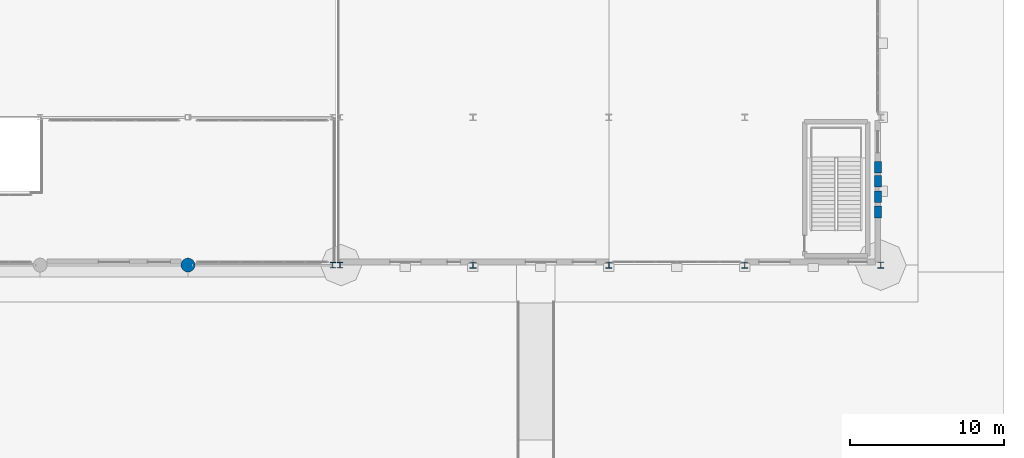
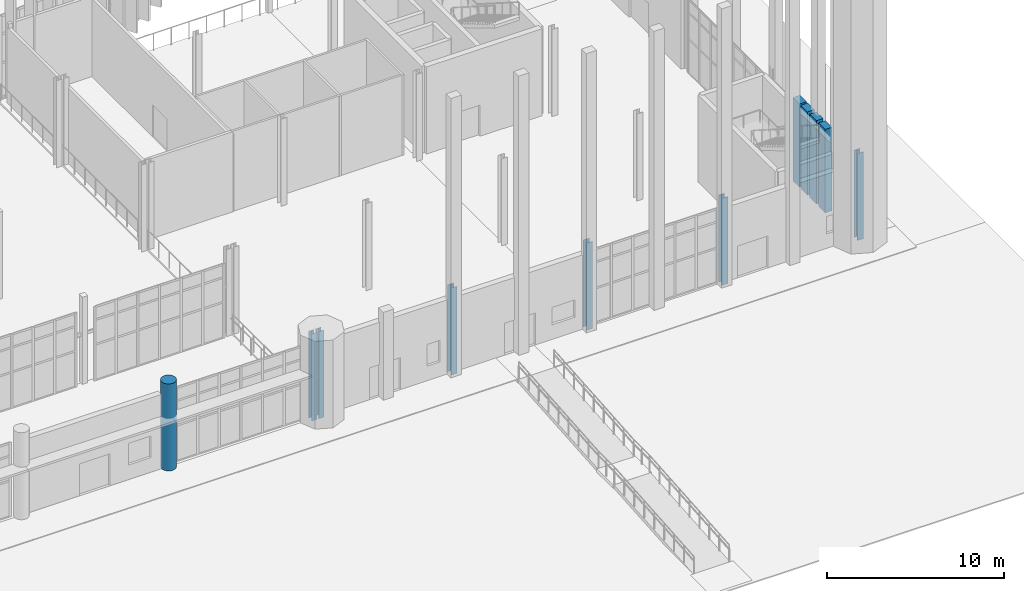
# One storey, part 16 of 139: 11 columns.
"""IFC4 building model written with IfcOpenShell, lengths in metres."""

from ifc_helpers import new_model, si_unit, direction, frame, origin, origin_2d, place, context, subcontext, project, spatial, rectangle, circle, i_section, extrude, material, material_profile, profile_set, type_object, element, save


model = new_model("IFC4")

# Units and contexts
model_context = context("Model", 3, precision=1e-05, world=origin(), true_north=direction((0.0, 1.0)))
body_context = subcontext(model_context, "Body", "Model", "MODEL_VIEW")
ifc_project = project(units=[si_unit("LENGTHUNIT", "METRE"), si_unit("AREAUNIT", "SQUARE_METRE"), si_unit("VOLUMEUNIT", "CUBIC_METRE"), si_unit("PLANEANGLEUNIT", "RADIAN"), si_unit("MASSUNIT", "GRAM", prefix="KILO")], contexts=[model_context])

# Site, building, storey
site_placement = place(None, origin())
site = spatial("IfcSite", under=ifc_project, at=site_placement, CompositionType="ELEMENT")
building_placement = place(site_placement, origin())
building = spatial("IfcBuilding", under=site, at=building_placement, Name="Yeouljin Market Hall", CompositionType="ELEMENT")
storey_placement = place(building_placement, origin())
storey = spatial("IfcBuildingStorey", under=building, at=storey_placement, Name="L00", CompositionType="ELEMENT", Elevation=0.0)

# Columns
ifc_material_1 = material(Name="Steel SM355", Category="steel")
ifc_material_profile_1 = material_profile(ifc_material_1, i_section(OverallWidth=0.35009765625, OverallDepth=0.35009765625, WebThickness=0.011962890625, FlangeThickness=0.01904296875, FilletRadius=0.02001953125, at=origin_2d()), Name="H-350x350x12x19")
ifc_profile_set_1 = profile_set([ifc_material_profile_1], Name="Steel SM355")
column_type_1 = type_object("IfcColumnType", Name="Col_H-350x350x12x19", PredefinedType="COLUMN", material=ifc_profile_set_1)
for number, where, z_axis, x_axis, name in (
    (1, (140.81005859375, 0.0, 0.0), (0.0, 0.0, 1.0), (1.0, 0.0, 0.0), "Column G-16-00 (L00)"),
    (2, (141.27001953125, 0.0, 0.0), (0.0, 0.0, 1.0), (1.0, 0.0, 0.0), "Column G-17-00 (L00)"),
):
    element("IfcColumn", number, at=place(storey_placement, frame(where, z_axis=z_axis, x_axis=x_axis)), inside=storey, type_object=column_type_1, Name=name, PredefinedType="COLUMN", context=body_context, shape_type="SweptSolid", body=[
        extrude(i_section(OverallWidth=0.35009765625, OverallDepth=0.35009765625, WebThickness=0.011962890625, FlangeThickness=0.01904296875, FilletRadius=0.02001953125, at=origin_2d()), origin(), (0.0, 0.0, 1.0), 6.0),
    ])
ifc_material_2 = material(Name="Steel SM355", Category="steel")
ifc_material_profile_2 = material_profile(ifc_material_2, i_section(OverallWidth=0.39990234375, OverallDepth=0.39990234375, WebThickness=0.012939453125, FlangeThickness=0.02099609375, FilletRadius=0.02197265625, at=origin_2d()), Name="H-400x400x13x21")
ifc_profile_set_2 = profile_set([ifc_material_profile_2], Name="Steel SM355")
column_type_2 = type_object("IfcColumnType", Name="Col_H-400x400x13x21", PredefinedType="COLUMN", material=ifc_profile_set_2)
for number, where, z_axis, x_axis, name in (
    (3, (149.909912109375, 0.0, 0.0), (0.0, 0.0, 1.0), (1.0, 0.0, 0.0), "Column G-18-00 (L00)"),
    (4, (158.739990234375, 0.0, 0.0), (0.0, 0.0, 1.0), (1.0, 0.0, 0.0), "Column G-19-00 (L00)"),
    (5, (167.570068359375, 0.0, 0.0), (0.0, 0.0, 1.0), (1.0, 0.0, 0.0), "Column G-20-00 (L00)"),
    (6, (176.39990234375, 0.0, 0.0), (0.0, 0.0, 1.0), (1.0, 0.0, 0.0), "Column G-21-00 (L00)"),
):
    element("IfcColumn", number, at=place(storey_placement, frame(where, z_axis=z_axis, x_axis=x_axis)), inside=storey, type_object=column_type_2, Name=name, PredefinedType="COLUMN", context=body_context, shape_type="SweptSolid", body=[
        extrude(i_section(OverallWidth=0.39990234375, OverallDepth=0.39990234375, WebThickness=0.012939453125, FlangeThickness=0.02099609375, FilletRadius=0.02197265625, at=origin_2d()), origin(), (0.0, 0.0, 1.0), 6.0),
    ])
ifc_material_3 = material(Name="Concrete C35/45", Category="concrete")
ifc_material_profile_3 = material_profile(ifc_material_3, circle(Radius=0.449951171875, at=origin_2d()), Name="RC-D900")
ifc_profile_set_3 = profile_set([ifc_material_profile_3], Name="Concrete C35/45")
column_type_3 = type_object("IfcColumnType", Name="Col_RC-D900", PredefinedType="COLUMN", material=ifc_profile_set_3)
column_placement = place(storey_placement, frame((131.39990234375, 0.0, 0.0), z_axis=(0.0, 0.0, 1.0), x_axis=(1.0, 0.0, 0.0)))
element("IfcColumn", 7, at=column_placement, inside=storey, type_object=column_type_3, Name="Column G-15-00 (L00)", PredefinedType="COLUMN", context=body_context, shape_type="SweptSolid", body=[
    extrude(circle(Radius=0.449951171875, at=origin_2d()), origin(), (0.0, 0.0, 1.0), 6.0),
])
ifc_material_4 = material(Name="Pocheon Granite Stone", Category="masonry")
ifc_material_profile_4 = material_profile(ifc_material_4, rectangle(XDim=0.449951171875, YDim=0.75, at=origin_2d()), Name="PIL-450x750")
ifc_profile_set_4 = profile_set([ifc_material_profile_4], Name="Pocheon Granite Stone")
column_type_4 = type_object("IfcColumnType", Name="Pilaster_Granite_450x750", PredefinedType="PILASTER", material=ifc_profile_set_4)
for number, where, z_axis, x_axis, name in (
    (8, (176.219970703125, 3.449951171875, 0.0), (0.0, 0.0, 1.0), (1.0, 0.0, 0.0), "Granite plinth pilaster 05"),
    (9, (176.219970703125, 4.449951171875, 0.0), (0.0, 0.0, 1.0), (1.0, 0.0, 0.0), "Granite plinth pilaster 06"),
    (10, (176.219970703125, 5.449951171875, 0.0), (0.0, 0.0, 1.0), (1.0, 0.0, 0.0), "Granite plinth pilaster 07"),
    (11, (176.219970703125, 6.35009765625, 0.0), (0.0, 0.0, 1.0), (1.0, 0.0, 0.0), "Granite plinth pilaster 08"),
):
    element("IfcColumn", number, at=place(storey_placement, frame(where, z_axis=z_axis, x_axis=x_axis)), inside=storey, type_object=column_type_4, Name=name, PredefinedType="PILASTER", context=body_context, shape_type="SweptSolid", body=[
        extrude(rectangle(XDim=0.449951171875, YDim=0.75, at=origin_2d()), origin(), (0.0, 0.0, 1.0), 5.75),
    ])

save(model, "model.ifc")
